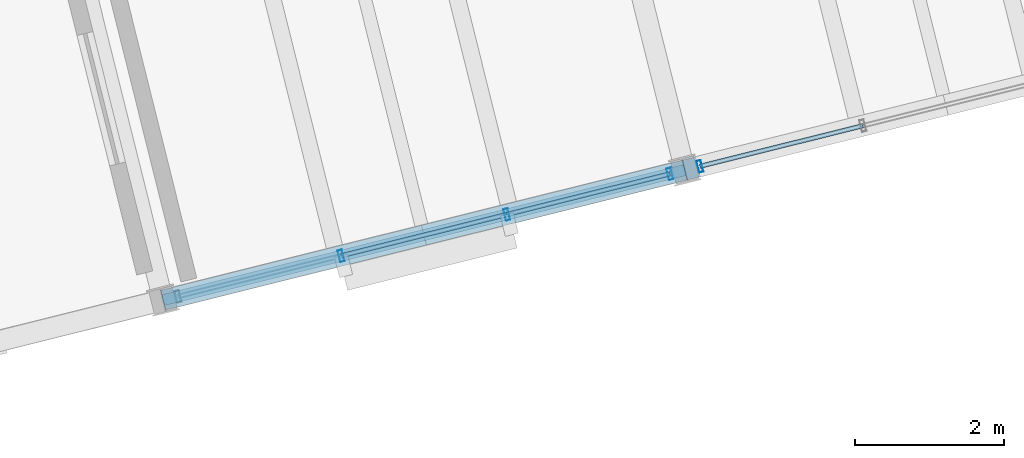
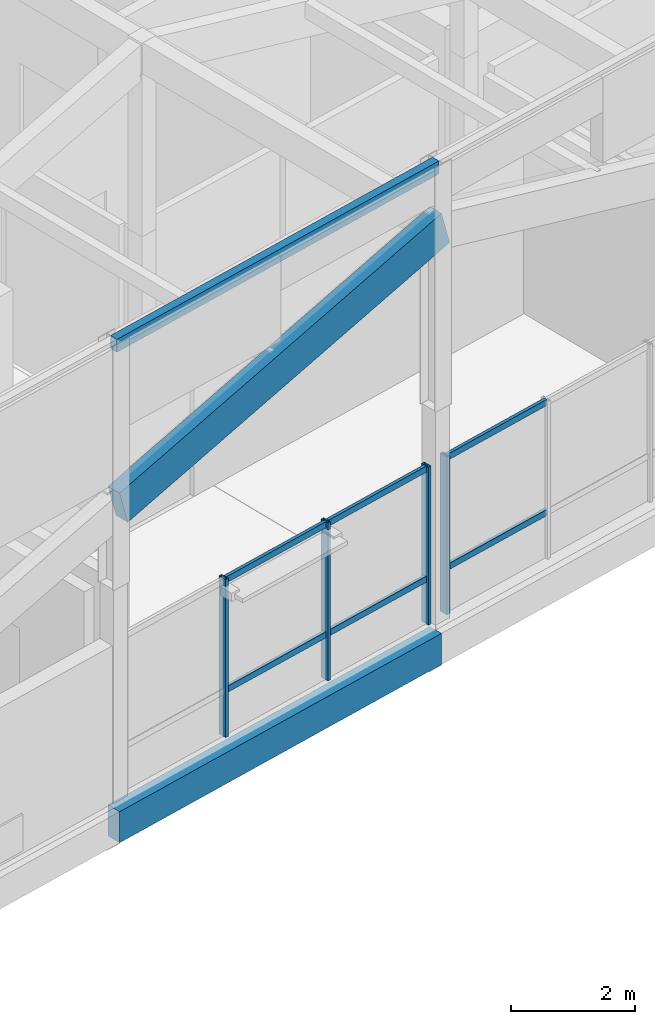
# One storey, part 8 of 31: 10 members, 3 beams, 2 elements without a shape of their own.
"""IFC4 building model written with IfcOpenShell, lengths in metres."""

from ifc_helpers import new_model, si_unit, direction, frame, origin, origin_2d, place, context, subcontext, project, spatial, rectangle, hollow_rectangle, extrude, material, layer, layer_set, material_profile, profile_set, type_object, element, aggregate, save


model = new_model("IFC4")

# Units and contexts
model_context = context("Model", 3, precision=1e-05, world=origin(), true_north=direction((0.0, 1.0)))
body_context = subcontext(model_context, "Body", "Model", "MODEL_VIEW")
ifc_project = project(units=[si_unit("LENGTHUNIT", "METRE"), si_unit("AREAUNIT", "SQUARE_METRE"), si_unit("VOLUMEUNIT", "CUBIC_METRE"), si_unit("PLANEANGLEUNIT", "RADIAN"), si_unit("MASSUNIT", "GRAM", prefix="KILO")], contexts=[model_context])

# Site, building, storey
site_placement = place(None, origin())
site = spatial("IfcSite", under=ifc_project, at=site_placement, CompositionType="ELEMENT")
building_placement = place(site_placement, origin())
building = spatial("IfcBuilding", under=site, at=building_placement, Name="Meriwether Solvik Hall", CompositionType="ELEMENT")
storey_placement = place(building_placement, frame((0.0, 0.0, 61.199951171875)))
storey = spatial("IfcBuildingStorey", under=building, at=storey_placement, Name="L15", CompositionType="ELEMENT", Elevation=61.199951171875)

# Beams
ifc_material_1 = material(Name="Glulam Douglas-Fir 24F-V8 GL28h", Category="wood")
ifc_material_profile_1 = material_profile(ifc_material_1, rectangle(XDim=0.27294921875, YDim=0.610107421875, at=origin_2d()), Name="GLB-273X610")
ifc_profile_set_1 = profile_set([ifc_material_profile_1], Name="Glulam Douglas-Fir 24F-V8 GL28h")
beam_type_1 = type_object("IfcBeamType", Name="BM-GL-273X610", PredefinedType="SPANDREL", material=ifc_profile_set_1)
beam_1_placement = place(storey_placement, frame((75.974365234375, 43.03857421875, -0.550048828125), z_axis=(0.970291911955, 0.241937193493, 0.0), x_axis=(-0.241937193493, 0.970291911955, 0.0)))
element("IfcBeam", 1, at=beam_1_placement, inside=storey, type_object=beam_type_1, Name="Tower Girder TA:T2-T3 (L15)", PredefinedType="SPANDREL", context=body_context, shape_type="SweptSolid", body=[
    extrude(rectangle(XDim=0.27294921875, YDim=0.610107421875, at=origin_2d()), origin(), (0.0, 0.0, 1.0), 7.199951171875),
])
ifc_material_2 = material(Name="Glulam Douglas-Fir 24F-V8 GL28h", Category="wood")
ifc_material_profile_2 = material_profile(ifc_material_2, rectangle(XDim=0.27294921875, YDim=0.68505859375, at=origin_2d()), Name="GLB-273X685")
ifc_profile_set_2 = profile_set([ifc_material_profile_2], Name="Glulam Douglas-Fir 24F-V8 GL28h")
beam_type_2 = type_object("IfcBeamType", Name="BM-GL-273X685", PredefinedType="BEAM", material=ifc_profile_set_2)
beam_2_placement = place(storey_placement, frame((76.06298828125, 43.060791015625, 5.679443359375), z_axis=(0.935080248891, 0.233124672221, 0.266979054113), x_axis=(-0.241905269381, 0.970299871507, 0.0)))
element("IfcBeam", 2, at=beam_2_placement, inside=storey, type_object=beam_type_2, Name="Sloped Roof Rafter TA:T2-T3", PredefinedType="BEAM", context=body_context, shape_type="SweptSolid", body=[
    extrude(rectangle(XDim=0.27294921875, YDim=0.68505859375, at=origin_2d()), origin(), (0.0, 0.0, 1.0), 7.47119140625),
])
ifc_material_3 = material(Name="Steel A500 Grade C", Category="steel")
ifc_material_profile_3 = material_profile(ifc_material_3, hollow_rectangle(XDim=0.152099609375, YDim=0.25390625, WallThickness=0.009521484375, at=origin_2d()), Name="HSS254X152X9.5")
ifc_profile_set_3 = profile_set([ifc_material_profile_3], Name="Steel A500 Grade C")
beam_type_3 = type_object("IfcBeamType", Name="BM-STL-HSS254", PredefinedType="SPANDREL", material=ifc_profile_set_3)
beam_3_placement = place(storey_placement, frame((75.974365234375, 43.03857421875, 8.873046875), z_axis=(0.970291911955, 0.241937193493, 0.0), x_axis=(-0.241937193493, 0.970291911955, 0.0)))
element("IfcBeam", 3, at=beam_3_placement, inside=storey, type_object=beam_type_3, Name="Crown Cap Ring Beam T2TA-T3TA", PredefinedType="SPANDREL", context=body_context, shape_type="SweptSolid", body=[
    extrude(hollow_rectangle(XDim=0.152099609375, YDim=0.25390625, WallThickness=0.009521484375, at=origin_2d()), origin(), (0.0, 0.0, 1.0), 7.199951171875),
])

# Curtain wall, members
ifc_material_4 = material(Name="Thermally Broken Anodised Aluminium 6063-T6 and Low-E Glass", Category="aluminium")
ifc_layer_1 = layer(ifc_material_4, 0.179931640625)
ifc_layer_set_1 = layer_set([ifc_layer_1], Name="Thermally Broken Anodised Aluminium 6063-T6 and Low-E Glass")
curtain_wall_type_1 = type_object("IfcCurtainWallType", Name="CW-UNIT-G", PredefinedType="USERDEFINED", material=ifc_layer_set_1)
curtain_wall_1_placement = place(storey_placement, origin())
curtain_wall_1 = element("IfcCurtainWall", 4, at=curtain_wall_1_placement, inside=storey, type_object=curtain_wall_type_1, Name="Curtain Wall E0_B1 (L15)", ObjectType="UNITISED CURTAIN WALL", PredefinedType="USERDEFINED")
ifc_material_5 = material(Name="Anodised Aluminium 6063-T6", Category="aluminium")
ifc_material_profile_4 = material_profile(ifc_material_5, hollow_rectangle(XDim=0.06005859375, YDim=0.159912109375, WallThickness=0.00390625, at=origin_2d()), Name="CWM-60X160")
ifc_profile_set_4 = profile_set([ifc_material_profile_4], Name="Anodised Aluminium 6063-T6")
member_type_1 = type_object("IfcMemberType", Name="CW-MUL-60X160", PredefinedType="MULLION", material=ifc_profile_set_4)
member_1_placement = place(storey_placement, frame((82.759033203125, 44.730224609375, 0.0), z_axis=(0.0, 0.0, 1.0), x_axis=(-0.970295730764, -0.241921877598, 0.0)))
member_1 = element("IfcMember", 5, at=member_1_placement, type_object=member_type_1, Name="Curtain Wall Mullion 1", PredefinedType="MULLION", context=body_context, shape_type="SweptSolid", body=[
    extrude(hollow_rectangle(XDim=0.06005859375, YDim=0.159912109375, WallThickness=0.00390625, at=origin_2d()), origin(), (0.0, 0.0, 1.0), 3.10205078125),
])
member_2_placement = place(storey_placement, frame((80.576904296875, 44.186279296875, 0.0), z_axis=(0.0, 0.0, 1.0), x_axis=(-0.970295730764, -0.241921877598, 0.0)))
member_2 = element("IfcMember", 6, at=member_2_placement, type_object=member_type_1, Name="Curtain Wall Mullion 2", PredefinedType="MULLION", context=body_context, shape_type="SweptSolid", body=[
    extrude(hollow_rectangle(XDim=0.06005859375, YDim=0.159912109375, WallThickness=0.00390625, at=origin_2d()), origin(), (0.0, 0.0, 1.0), 3.10205078125),
])
member_3_placement = place(storey_placement, frame((78.357666015625, 43.6328125, 0.0), z_axis=(0.0, 0.0, 1.0), x_axis=(-0.970295730764, -0.241921877598, 0.0)))
member_3 = element("IfcMember", 7, at=member_3_placement, type_object=member_type_1, Name="Curtain Wall Mullion 3", PredefinedType="MULLION", context=body_context, shape_type="SweptSolid", body=[
    extrude(hollow_rectangle(XDim=0.06005859375, YDim=0.159912109375, WallThickness=0.00390625, at=origin_2d()), origin(), (0.0, 0.0, 1.0), 3.10205078125),
])

# Curtain wall, member
ifc_material_6 = material(Name="Thermally Broken Anodised Aluminium 6063-T6 and Low-E Glass", Category="aluminium")
ifc_layer_2 = layer(ifc_material_6, 0.179931640625)
ifc_layer_set_2 = layer_set([ifc_layer_2], Name="Thermally Broken Anodised Aluminium 6063-T6 and Low-E Glass")
curtain_wall_type_2 = type_object("IfcCurtainWallType", Name="CW-UNIT-A", PredefinedType="USERDEFINED", material=ifc_layer_set_2)
curtain_wall_2_placement = place(storey_placement, origin())
curtain_wall_2 = element("IfcCurtainWall", 8, at=curtain_wall_2_placement, inside=storey, type_object=curtain_wall_type_2, Name="Curtain Wall E0_B2 (L15)", ObjectType="UNITISED CURTAIN WALL", PredefinedType="USERDEFINED")
member_4_placement = place(storey_placement, frame((83.16162109375, 44.83056640625, 0.0), z_axis=(0.0, 0.0, 1.0), x_axis=(-0.970295730764, -0.241921877598, 0.0)))
member_4 = element("IfcMember", 9, at=member_4_placement, type_object=member_type_1, Name="Curtain Wall Mullion 4", PredefinedType="MULLION", context=body_context, shape_type="SweptSolid", body=[
    extrude(hollow_rectangle(XDim=0.06005859375, YDim=0.159912109375, WallThickness=0.00390625, at=origin_2d()), origin(), (0.0, 0.0, 1.0), 3.10205078125),
])

# Member
ifc_material_7 = material(Name="Anodised Aluminium 6063-T6", Category="aluminium")
ifc_material_profile_5 = material_profile(ifc_material_7, hollow_rectangle(XDim=0.06005859375, YDim=0.1201171875, WallThickness=0.00390625, at=origin_2d()), Name="CWT-60X120")
ifc_profile_set_5 = profile_set([ifc_material_profile_5], Name="Anodised Aluminium 6063-T6")
member_type_2 = type_object("IfcMemberType", Name="CW-TRN-60X120", PredefinedType="USERDEFINED", material=ifc_profile_set_5)
member_5_placement = place(storey_placement, frame((82.759033203125, 44.730224609375, 0.880126953125), z_axis=(-0.970308305597, -0.241871437108, 0.0), x_axis=(0.241871437108, -0.970308305597, 0.0)))
member_5 = element("IfcMember", 10, at=member_5_placement, type_object=member_type_2, Name="Curtain Wall Transom 1-sill", ObjectType="TRANSOM", PredefinedType="USERDEFINED", context=body_context, shape_type="SweptSolid", body=[
    extrude(hollow_rectangle(XDim=0.06005859375, YDim=0.1201171875, WallThickness=0.00390625, at=origin_2d()), origin(), (0.0, 0.0, 1.0), 2.2490234375),
])

member_6_placement = place(storey_placement, frame((82.759033203125, 44.730224609375, 3.0419921875), z_axis=(-0.970308305597, -0.241871437108, 0.0), x_axis=(0.241871437108, -0.970308305597, 0.0)))
member_6 = element("IfcMember", 11, at=member_6_placement, type_object=member_type_2, Name="Curtain Wall Transom 1-head", ObjectType="TRANSOM", PredefinedType="USERDEFINED", context=body_context, shape_type="SweptSolid", body=[
    extrude(hollow_rectangle(XDim=0.06005859375, YDim=0.1201171875, WallThickness=0.00390625, at=origin_2d()), origin(), (0.0, 0.0, 1.0), 2.2490234375),
])

member_7_placement = place(storey_placement, frame((80.576904296875, 44.186279296875, 0.880126953125), z_axis=(-0.970280478888, -0.241983041324, 0.0), x_axis=(0.241983041324, -0.970280478888, 0.0)))
member_7 = element("IfcMember", 12, at=member_7_placement, type_object=member_type_2, Name="Curtain Wall Transom 2-sill", ObjectType="TRANSOM", PredefinedType="USERDEFINED", context=body_context, shape_type="SweptSolid", body=[
    extrude(hollow_rectangle(XDim=0.06005859375, YDim=0.1201171875, WallThickness=0.00390625, at=origin_2d()), origin(), (0.0, 0.0, 1.0), 2.287109375),
])

member_8_placement = place(storey_placement, frame((80.576904296875, 44.186279296875, 3.0419921875), z_axis=(-0.970280478888, -0.241983041324, 0.0), x_axis=(0.241983041324, -0.970280478888, 0.0)))
member_8 = element("IfcMember", 13, at=member_8_placement, type_object=member_type_2, Name="Curtain Wall Transom 2-head", ObjectType="TRANSOM", PredefinedType="USERDEFINED", context=body_context, shape_type="SweptSolid", body=[
    extrude(hollow_rectangle(XDim=0.06005859375, YDim=0.1201171875, WallThickness=0.00390625, at=origin_2d()), origin(), (0.0, 0.0, 1.0), 2.287109375),
])

aggregate(curtain_wall_1, [member_1, member_2, member_3, member_5, member_6, member_7, member_8])

member_9_placement = place(storey_placement, frame((85.343994140625, 45.374755859375, 0.880126953125), z_axis=(-0.970289178123, -0.241948157292, 0.0), x_axis=(0.241948157292, -0.970289178123, 0.0)))
member_9 = element("IfcMember", 14, at=member_9_placement, type_object=member_type_2, Name="Curtain Wall Transom 3-sill", ObjectType="TRANSOM", PredefinedType="USERDEFINED", context=body_context, shape_type="SweptSolid", body=[
    extrude(hollow_rectangle(XDim=0.06005859375, YDim=0.1201171875, WallThickness=0.00390625, at=origin_2d()), origin(), (0.0, 0.0, 1.0), 2.249267578125),
])

member_10_placement = place(storey_placement, frame((85.343994140625, 45.374755859375, 3.0419921875), z_axis=(-0.970289178123, -0.241948157292, 0.0), x_axis=(0.241948157292, -0.970289178123, 0.0)))
member_10 = element("IfcMember", 15, at=member_10_placement, type_object=member_type_2, Name="Curtain Wall Transom 3-head", ObjectType="TRANSOM", PredefinedType="USERDEFINED", context=body_context, shape_type="SweptSolid", body=[
    extrude(hollow_rectangle(XDim=0.06005859375, YDim=0.1201171875, WallThickness=0.00390625, at=origin_2d()), origin(), (0.0, 0.0, 1.0), 2.249267578125),
])

aggregate(curtain_wall_2, [member_4, member_9, member_10])

save(model, "model.ifc")
